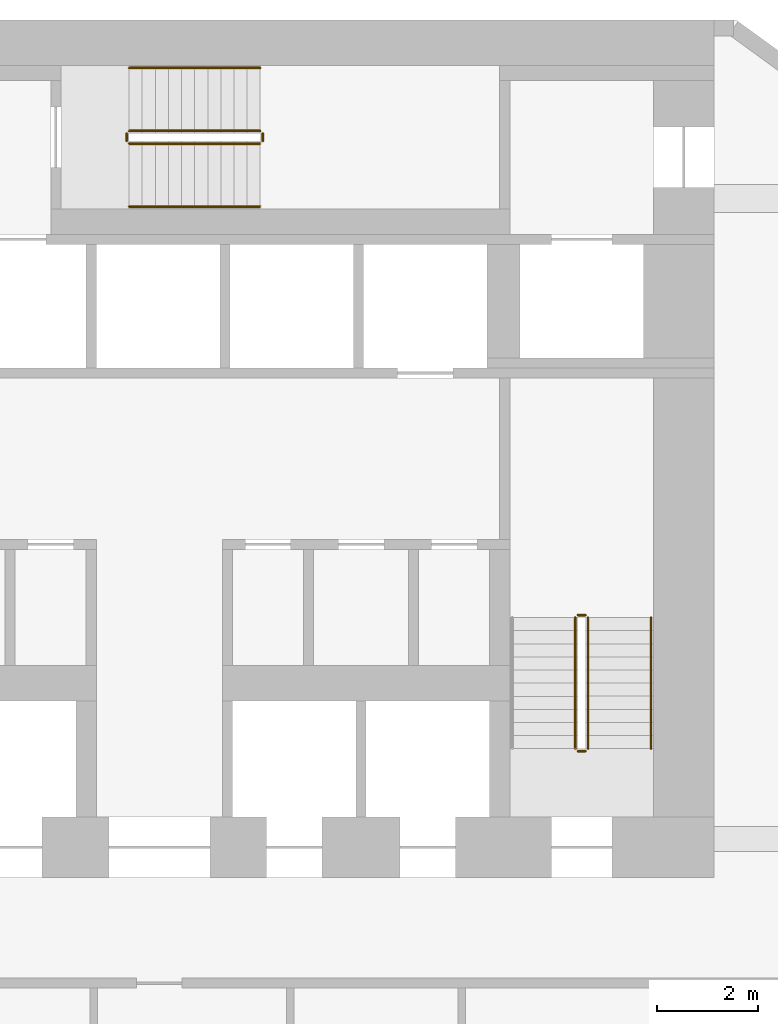
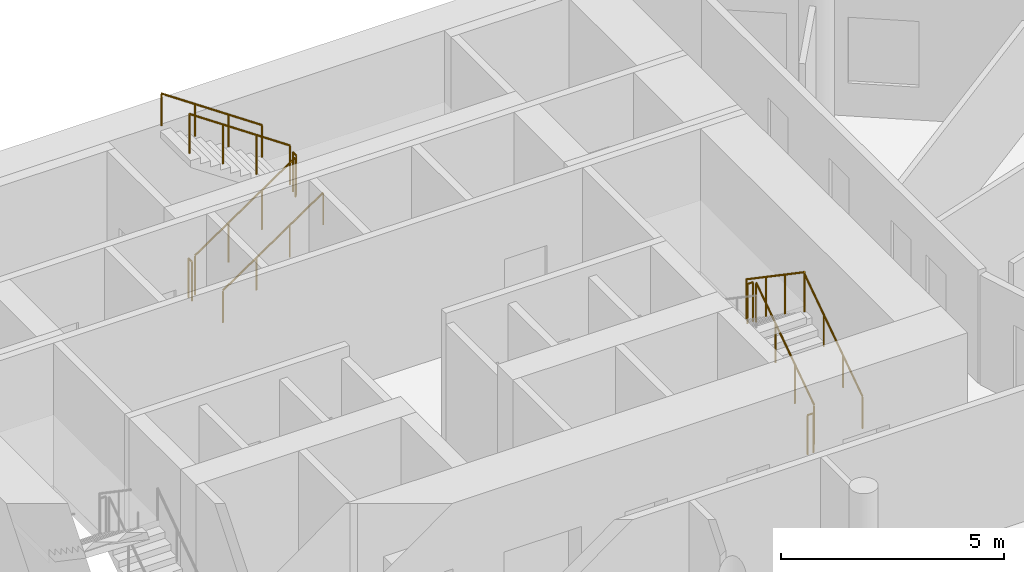
# One storey, part 9 of 9: 11 railings.
"""IFC4 building model written with IfcOpenShell, lengths in metres."""

from ifc_helpers import new_model, si_unit, direction, frame, origin, origin_2d, place, context, subcontext, project, spatial, circle, extrude, material, type_object, element, save


model = new_model("IFC4")

# Units and contexts
model_context = context("Model", 3, precision=1e-05, world=origin(), true_north=direction((0.0, 1.0)))
body_context = subcontext(model_context, "Body", "Model", "MODEL_VIEW")
ifc_project = project(units=[si_unit("LENGTHUNIT", "METRE"), si_unit("AREAUNIT", "SQUARE_METRE"), si_unit("VOLUMEUNIT", "CUBIC_METRE"), si_unit("PLANEANGLEUNIT", "RADIAN"), si_unit("MASSUNIT", "GRAM", prefix="KILO")], contexts=[model_context])

# Site, building, storey
site_placement = place(None, origin())
site = spatial("IfcSite", under=ifc_project, at=site_placement, CompositionType="ELEMENT")
building_placement = place(site_placement, origin())
building = spatial("IfcBuilding", under=site, at=building_placement, Name="White Candle Pilgrim Tower", CompositionType="ELEMENT")
storey_placement = place(building_placement, frame((0.0, 0.0, 62.39990234375)))
storey = spatial("IfcBuildingStorey", under=building, at=storey_placement, Name="L12", CompositionType="ELEMENT", Elevation=62.39990234375)

# Railings
ifc_material = material(Name="Stainless steel", Category="steel")
railing_type_1 = type_object("IfcRailingType", Name="Stair guard stainless steel 1100 mm", PredefinedType="GUARDRAIL", material=ifc_material)
railing_1_placement = place(storey_placement, frame((78.5, 73.550048828125, 0.177490234375)))
element("IfcRailing", 1, at=railing_1_placement, inside=storey, type_object=railing_type_1, Name="L12 ST2 stair guard 1", PredefinedType="GUARDRAIL", context=body_context, shape_type="SweptSolid", body=[
    extrude(circle(Radius=0.02392578125, at=origin_2d()), frame((0.0, 0.0, 1.076171875), z_axis=(0.0, 0.826215852431, 0.563353676824), x_axis=(-1.0, 0.0, 0.0)), (0.0, 0.0, 1.0), 3.146728515625),
    extrude(circle(Radius=0.02099609375, at=origin_2d()), origin(), (0.0, 0.0, 1.0), 1.052001953125),
    extrude(circle(Radius=0.02099609375, at=origin_2d()), frame((0.0, 0.86669921875, 0.5908203125)), (0.0, 0.0, 1.0), 1.052001953125),
    extrude(circle(Radius=0.02099609375, at=origin_2d()), frame((0.0, 1.733154296875, 1.181884765625)), (0.0, 0.0, 1.0), 1.052001953125),
    extrude(circle(Radius=0.02099609375, at=origin_2d()), frame((0.0, 2.599853515625, 1.772705078125)), (0.0, 0.0, 1.0), 1.052001953125),
])
railing_2_placement = place(storey_placement, frame((78.449951171875, 76.199951171875, 1.9501953125)))
element("IfcRailing", 2, at=railing_2_placement, inside=storey, type_object=railing_type_1, Name="L12 ST2 stair guard 2", PredefinedType="GUARDRAIL", context=body_context, shape_type="SweptSolid", body=[
    extrude(circle(Radius=0.02392578125, at=origin_2d()), frame((0.0, 0.0, 1.076171875), z_axis=(-1.0, 0.0, 0.0), x_axis=(0.0, -1.0, 0.0)), (0.0, 0.0, 1.0), 0.14990234375),
    extrude(circle(Radius=0.02099609375, at=origin_2d()), origin(), (0.0, 0.0, 1.0), 1.052001953125),
    extrude(circle(Radius=0.02099609375, at=origin_2d()), frame((-0.14990234375, 0.0, 0.0)), (0.0, 0.0, 1.0), 1.052001953125),
])
railing_3_placement = place(storey_placement, frame((78.25, 76.14990234375, 2.12744140625)))
element("IfcRailing", 3, at=railing_3_placement, inside=storey, type_object=railing_type_1, Name="L12 ST2 stair guard 3", PredefinedType="GUARDRAIL", context=body_context, shape_type="SweptSolid", body=[
    extrude(circle(Radius=0.02392578125, at=origin_2d()), frame((0.0, 0.0, 1.076171875), z_axis=(0.0, -0.826215852431, 0.563353676824), x_axis=(1.0, 0.0, 0.0)), (0.0, 0.0, 1.0), 3.146728515625),
    extrude(circle(Radius=0.02099609375, at=origin_2d()), origin(), (0.0, 0.0, 1.0), 1.052001953125),
    extrude(circle(Radius=0.02099609375, at=origin_2d()), frame((0.0, -0.86669921875, 0.5908203125)), (0.0, 0.0, 1.0), 1.052001953125),
    extrude(circle(Radius=0.02099609375, at=origin_2d()), frame((0.0, -1.733154296875, 1.181884765625)), (0.0, 0.0, 1.0), 1.052001953125),
    extrude(circle(Radius=0.02099609375, at=origin_2d()), frame((0.0, -2.599853515625, 1.772705078125)), (0.0, 0.0, 1.0), 1.052001953125),
])
railing_4_placement = place(storey_placement, frame((78.449951171875, 73.5, 0.0)))
element("IfcRailing", 4, at=railing_4_placement, inside=storey, type_object=railing_type_1, Name="L12 ST2 stair guard 4", PredefinedType="GUARDRAIL", context=body_context, shape_type="SweptSolid", body=[
    extrude(circle(Radius=0.02392578125, at=origin_2d()), frame((0.0, 0.0, 1.076171875), z_axis=(-1.0, 0.0, 0.0), x_axis=(0.0, -1.0, 0.0)), (0.0, 0.0, 1.0), 0.14990234375),
    extrude(circle(Radius=0.02099609375, at=origin_2d()), origin(), (0.0, 0.0, 1.0), 1.052001953125),
    extrude(circle(Radius=0.02099609375, at=origin_2d()), frame((-0.14990234375, 0.0, 0.0)), (0.0, 0.0, 1.0), 1.052001953125),
])
railing_5_placement = place(storey_placement, frame((69.39990234375, 85.550048828125, 0.177490234375)))
element("IfcRailing", 5, at=railing_5_placement, inside=storey, type_object=railing_type_1, Name="L12 ST3 stair guard 1", PredefinedType="GUARDRAIL", context=body_context, shape_type="SweptSolid", body=[
    extrude(circle(Radius=0.02392578125, at=origin_2d()), frame((0.0, 0.0, 1.076171875), z_axis=(0.826240473404, 0.0, 0.563317565952), x_axis=(0.0, 1.0, 0.0)), (0.0, 0.0, 1.0), 3.14697265625),
    extrude(circle(Radius=0.02099609375, at=origin_2d()), origin(), (0.0, 0.0, 1.0), 1.052001953125),
    extrude(circle(Radius=0.02099609375, at=origin_2d()), frame((0.86669921875, 0.0, 0.5908203125)), (0.0, 0.0, 1.0), 1.052001953125),
    extrude(circle(Radius=0.02099609375, at=origin_2d()), frame((1.7333984375, 0.0, 1.181884765625)), (0.0, 0.0, 1.0), 1.052001953125),
    extrude(circle(Radius=0.02099609375, at=origin_2d()), frame((2.60009765625, 0.0, 1.772705078125)), (0.0, 0.0, 1.0), 1.052001953125),
])
railing_6_placement = place(storey_placement, frame((72.050048828125, 85.60009765625, 1.9501953125)))
element("IfcRailing", 6, at=railing_6_placement, inside=storey, type_object=railing_type_1, Name="L12 ST3 stair guard 2", PredefinedType="GUARDRAIL", context=body_context, shape_type="SweptSolid", body=[
    extrude(circle(Radius=0.02392578125, at=origin_2d()), frame((0.0, 0.0, 1.076171875), z_axis=(0.0, 1.0, 0.0), x_axis=(-1.0, 0.0, 0.0)), (0.0, 0.0, 1.0), 0.14990234375),
    extrude(circle(Radius=0.02099609375, at=origin_2d()), origin(), (0.0, 0.0, 1.0), 1.052001953125),
    extrude(circle(Radius=0.02099609375, at=origin_2d()), frame((0.0, 0.14990234375, 0.0)), (0.0, 0.0, 1.0), 1.052001953125),
])
railing_7_placement = place(storey_placement, frame((72.0, 85.800048828125, 2.12744140625)))
element("IfcRailing", 7, at=railing_7_placement, inside=storey, type_object=railing_type_1, Name="L12 ST3 stair guard 3", PredefinedType="GUARDRAIL", context=body_context, shape_type="SweptSolid", body=[
    extrude(circle(Radius=0.02392578125, at=origin_2d()), frame((0.0, 0.0, 1.076171875), z_axis=(-0.826240473404, 0.0, 0.563317565952), x_axis=(0.0, -1.0, 0.0)), (0.0, 0.0, 1.0), 3.14697265625),
    extrude(circle(Radius=0.02099609375, at=origin_2d()), origin(), (0.0, 0.0, 1.0), 1.052001953125),
    extrude(circle(Radius=0.02099609375, at=origin_2d()), frame((-0.86669921875, 0.0, 0.5908203125)), (0.0, 0.0, 1.0), 1.052001953125),
    extrude(circle(Radius=0.02099609375, at=origin_2d()), frame((-1.7333984375, 0.0, 1.181884765625)), (0.0, 0.0, 1.0), 1.052001953125),
    extrude(circle(Radius=0.02099609375, at=origin_2d()), frame((-2.60009765625, 0.0, 1.772705078125)), (0.0, 0.0, 1.0), 1.052001953125),
])
railing_8_placement = place(storey_placement, frame((69.35009765625, 85.60009765625, 0.0)))
element("IfcRailing", 8, at=railing_8_placement, inside=storey, type_object=railing_type_1, Name="L12 ST3 stair guard 4", PredefinedType="GUARDRAIL", context=body_context, shape_type="SweptSolid", body=[
    extrude(circle(Radius=0.02392578125, at=origin_2d()), frame((0.0, 0.0, 1.076171875), z_axis=(0.0, 1.0, 0.0), x_axis=(-1.0, 0.0, 0.0)), (0.0, 0.0, 1.0), 0.14990234375),
    extrude(circle(Radius=0.02099609375, at=origin_2d()), origin(), (0.0, 0.0, 1.0), 1.052001953125),
    extrude(circle(Radius=0.02099609375, at=origin_2d()), frame((0.0, 0.14990234375, 0.0)), (0.0, 0.0, 1.0), 1.052001953125),
])
railing_type_2 = type_object("IfcRailingType", Name="Stair handrail stainless steel", PredefinedType="HANDRAIL", material=ifc_material)
railing_9_placement = place(storey_placement, frame((79.75, 73.550048828125, 0.177490234375)))
element("IfcRailing", 9, at=railing_9_placement, inside=storey, type_object=railing_type_2, Name="L12 ST2 stair handrail 1", PredefinedType="HANDRAIL", context=body_context, shape_type="SweptSolid", body=[
    extrude(circle(Radius=0.02392578125, at=origin_2d()), frame((0.0, 0.0, 0.8759765625), z_axis=(0.0, 0.826215852431, 0.563353676824), x_axis=(-1.0, 0.0, 0.0)), (0.0, 0.0, 1.0), 3.146728515625),
    extrude(circle(Radius=0.02099609375, at=origin_2d()), origin(), (0.0, 0.0, 1.0), 0.851806640625),
    extrude(circle(Radius=0.02099609375, at=origin_2d()), frame((0.0, 0.86669921875, 0.5908203125)), (0.0, 0.0, 1.0), 0.851806640625),
    extrude(circle(Radius=0.02099609375, at=origin_2d()), frame((0.0, 1.733154296875, 1.181884765625)), (0.0, 0.0, 1.0), 0.851806640625),
    extrude(circle(Radius=0.02099609375, at=origin_2d()), frame((0.0, 2.599853515625, 1.772705078125)), (0.0, 0.0, 1.0), 0.851806640625),
])
railing_10_placement = place(storey_placement, frame((69.39990234375, 84.300048828125, 0.177490234375)))
element("IfcRailing", 10, at=railing_10_placement, inside=storey, type_object=railing_type_2, Name="L12 ST3 stair handrail 1", PredefinedType="HANDRAIL", context=body_context, shape_type="SweptSolid", body=[
    extrude(circle(Radius=0.02392578125, at=origin_2d()), frame((0.0, 0.0, 0.8759765625), z_axis=(0.826240473404, 0.0, 0.563317565952), x_axis=(0.0, 1.0, 0.0)), (0.0, 0.0, 1.0), 3.14697265625),
    extrude(circle(Radius=0.02099609375, at=origin_2d()), origin(), (0.0, 0.0, 1.0), 0.851806640625),
    extrude(circle(Radius=0.02099609375, at=origin_2d()), frame((0.86669921875, 0.0, 0.5908203125)), (0.0, 0.0, 1.0), 0.851806640625),
    extrude(circle(Radius=0.02099609375, at=origin_2d()), frame((1.7333984375, 0.0, 1.181884765625)), (0.0, 0.0, 1.0), 0.851806640625),
    extrude(circle(Radius=0.02099609375, at=origin_2d()), frame((2.60009765625, 0.0, 1.772705078125)), (0.0, 0.0, 1.0), 0.851806640625),
])
railing_11_placement = place(storey_placement, frame((72.0, 87.050048828125, 2.12744140625)))
element("IfcRailing", 11, at=railing_11_placement, inside=storey, type_object=railing_type_2, Name="L12 ST3 stair handrail 2", PredefinedType="HANDRAIL", context=body_context, shape_type="SweptSolid", body=[
    extrude(circle(Radius=0.02392578125, at=origin_2d()), frame((0.0, 0.0, 0.8759765625), z_axis=(-0.826240473404, 0.0, 0.563317565952), x_axis=(0.0, -1.0, 0.0)), (0.0, 0.0, 1.0), 3.14697265625),
    extrude(circle(Radius=0.02099609375, at=origin_2d()), origin(), (0.0, 0.0, 1.0), 0.851806640625),
    extrude(circle(Radius=0.02099609375, at=origin_2d()), frame((-0.86669921875, 0.0, 0.5908203125)), (0.0, 0.0, 1.0), 0.851806640625),
    extrude(circle(Radius=0.02099609375, at=origin_2d()), frame((-1.7333984375, 0.0, 1.181884765625)), (0.0, 0.0, 1.0), 0.851806640625),
    extrude(circle(Radius=0.02099609375, at=origin_2d()), frame((-2.60009765625, 0.0, 1.772705078125)), (0.0, 0.0, 1.0), 0.851806640625),
])

save(model, "model.ifc")
